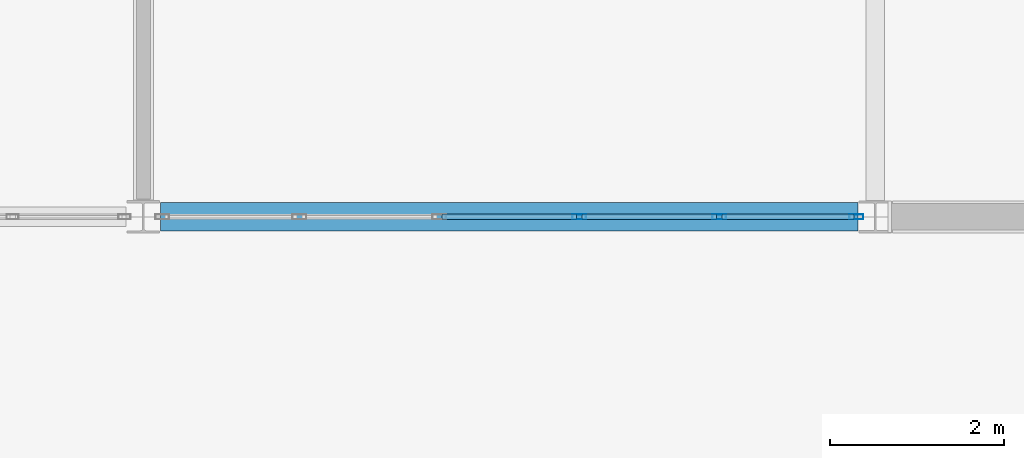
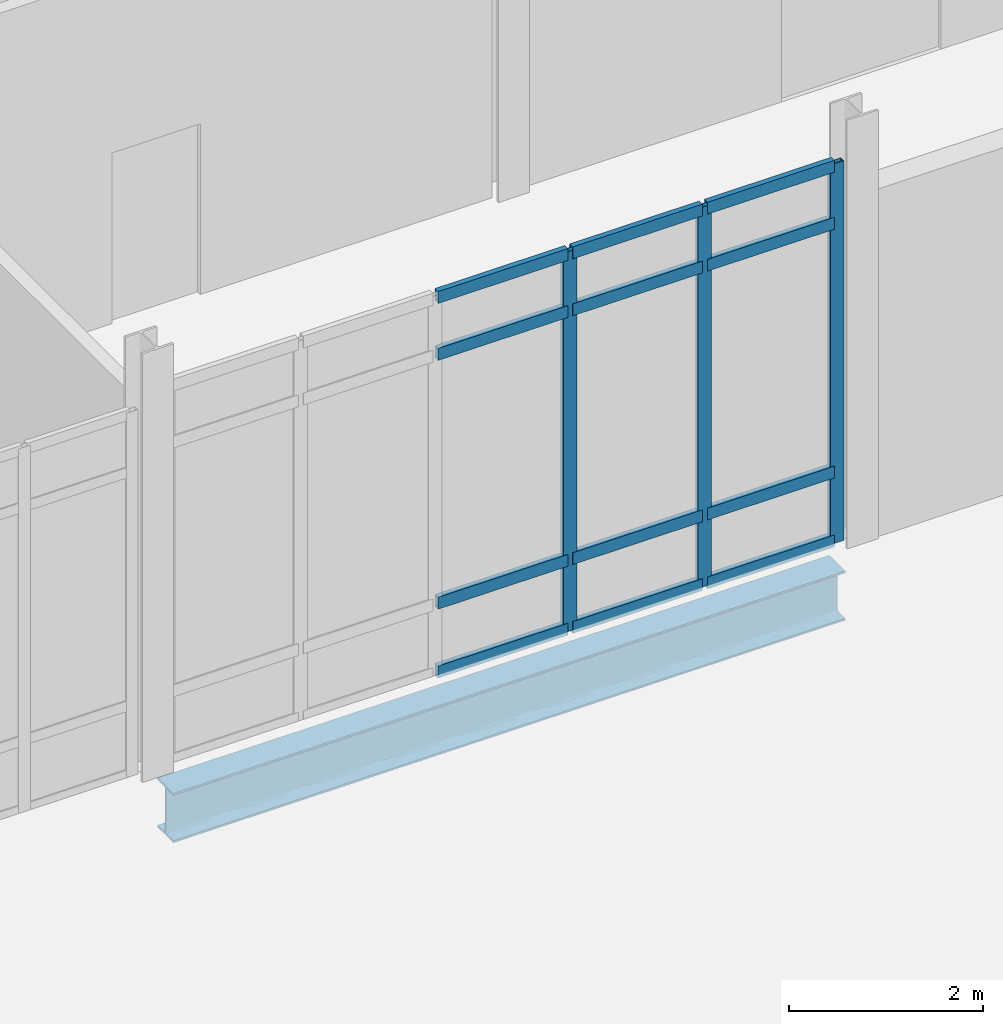
# One storey, part 85 of 229: 15 members, 1 beam, 1 element without a shape of its own.
"""IFC4 building model written with IfcOpenShell, lengths in metres."""

from ifc_helpers import new_model, si_unit, direction, frame, origin, origin_2d, place, context, subcontext, project, spatial, hollow_rectangle, i_section, extrude, material, layer, layer_set, material_profile, profile_set, type_object, element, aggregate, save


model = new_model("IFC4")

# Units and contexts
model_context = context("Model", 3, precision=1e-05, world=origin(), true_north=direction((0.0, 1.0)))
body_context = subcontext(model_context, "Body", "Model", "MODEL_VIEW")
ifc_project = project(units=[si_unit("LENGTHUNIT", "METRE"), si_unit("AREAUNIT", "SQUARE_METRE"), si_unit("VOLUMEUNIT", "CUBIC_METRE"), si_unit("PLANEANGLEUNIT", "RADIAN"), si_unit("MASSUNIT", "GRAM", prefix="KILO")], contexts=[model_context])

# Site, building, storey
site_placement = place(None, origin())
site = spatial("IfcSite", under=ifc_project, at=site_placement, CompositionType="ELEMENT")
building_placement = place(site_placement, origin())
building = spatial("IfcBuilding", under=site, at=building_placement, Name="Calvrana Isthmian Art Gallery", CompositionType="ELEMENT")
storey_placement = place(building_placement, origin())
storey = spatial("IfcBuildingStorey", under=building, at=storey_placement, Name="L00", CompositionType="ELEMENT", Elevation=0.0)

# Beam
ifc_material_1 = material(Name="Steel ASTM A992 Gr 50", Category="steel")
ifc_material_profile_1 = material_profile(ifc_material_1, i_section(OverallWidth=0.327880859375, OverallDepth=0.6220703125, WebThickness=0.015380859375, FlangeThickness=0.0244140625, FilletRadius=0.02197265625, at=origin_2d()), Name="W24X131")
ifc_profile_set_1 = profile_set([ifc_material_profile_1], Name="Steel ASTM A992 Gr 50")
beam_type = type_object("IfcBeamType", Name="BM-G-W24X131", PredefinedType="BEAM", material=ifc_profile_set_1)
beam_placement = place(storey_placement, frame((21.798095703125, 98.39990234375, -0.595947265625), z_axis=(1.0, 0.0, 0.0), x_axis=(0.0, 1.0, 0.0)))
element("IfcBeam", 1, at=beam_placement, inside=storey, type_object=beam_type, Name="Girder X L00 04-05/N", PredefinedType="BEAM", context=body_context, shape_type="SweptSolid", body=[
    extrude(i_section(OverallWidth=0.327880859375, OverallDepth=0.6220703125, WebThickness=0.015380859375, FlangeThickness=0.0244140625, FilletRadius=0.02197265625, at=origin_2d()), origin(), (0.0, 0.0, 1.0), 8.0048828125),
])

# Curtain wall, members
ifc_material_2 = material(Name="Anodized bronze aluminium 6063-T6", Category="aluminium")
ifc_layer = layer(ifc_material_2, 0.179931640625, Name="Anodized bronze aluminium 6063-T6")
ifc_layer_set = layer_set([ifc_layer], Name="Anodized bronze aluminium 6063-T6")
curtain_wall_type = type_object("IfcCurtainWallType", Name="CW-UNIT-080X48", PredefinedType="USERDEFINED", material=ifc_layer_set)
curtain_wall_placement = place(storey_placement, origin())
curtain_wall = element("IfcCurtainWall", 2, at=curtain_wall_placement, inside=storey, type_object=curtain_wall_type, Name="Curtain wall CW-037", ObjectType="UNITISED CURTAIN WALL", PredefinedType="USERDEFINED")
ifc_material_profile_2 = material_profile(ifc_material_2, hollow_rectangle(XDim=0.06005859375, YDim=0.159912109375, WallThickness=0.00390625, at=origin_2d()), Name="CWM60X160")
ifc_profile_set_2 = profile_set([ifc_material_profile_2], Name="Anodized bronze aluminium 6063-T6")
member_type_1 = type_object("IfcMemberType", Name="CWM-CWM60X160", PredefinedType="MULLION", material=ifc_profile_set_2)
member_1_placement = place(storey_placement, frame((29.783447265625, 98.39990234375, 0.0), z_axis=(0.0, 0.0, 1.0), x_axis=(0.0, -1.0, 0.0)))
member_1 = element("IfcMember", 3, at=member_1_placement, type_object=member_type_1, Name="CW-037 mullion 1", PredefinedType="MULLION", context=body_context, shape_type="SweptSolid", body=[
    extrude(hollow_rectangle(XDim=0.06005859375, YDim=0.159912109375, WallThickness=0.00390625, at=origin_2d()), origin(), (0.0, 0.0, 1.0), 4.783935546875),
])
member_2_placement = place(storey_placement, frame((28.2080078125, 98.39990234375, 0.0), z_axis=(0.0, 0.0, 1.0), x_axis=(0.0, -1.0, 0.0)))
member_2 = element("IfcMember", 4, at=member_2_placement, type_object=member_type_1, Name="CW-037 mullion 2", PredefinedType="MULLION", context=body_context, shape_type="SweptSolid", body=[
    extrude(hollow_rectangle(XDim=0.06005859375, YDim=0.159912109375, WallThickness=0.00390625, at=origin_2d()), origin(), (0.0, 0.0, 1.0), 4.783935546875),
])
member_3_placement = place(storey_placement, frame((26.602783203125, 98.39990234375, 0.0), z_axis=(0.0, 0.0, 1.0), x_axis=(0.0, -1.0, 0.0)))
member_3 = element("IfcMember", 5, at=member_3_placement, type_object=member_type_1, Name="CW-037 mullion 3", PredefinedType="MULLION", context=body_context, shape_type="SweptSolid", body=[
    extrude(hollow_rectangle(XDim=0.06005859375, YDim=0.159912109375, WallThickness=0.00390625, at=origin_2d()), origin(), (0.0, 0.0, 1.0), 4.783935546875),
])
ifc_material_profile_3 = material_profile(ifc_material_2, hollow_rectangle(XDim=0.06494140625, YDim=0.14990234375, WallThickness=0.00390625, at=origin_2d()), Name="CWT65X150")
ifc_profile_set_3 = profile_set([ifc_material_profile_3], Name="Anodized bronze aluminium 6063-T6")
member_type_2 = type_object("IfcMemberType", Name="CWT-CWT65X150", PredefinedType="USERDEFINED", material=ifc_profile_set_3)
member_4_placement = place(storey_placement, frame((29.75341796875, 98.39990234375, 0.032470703125), z_axis=(-1.0, 0.0, 0.0), x_axis=(0.0, -1.0, 0.0)))
member_4 = element("IfcMember", 6, at=member_4_placement, type_object=member_type_2, Name="CW-037 transom 1.1", ObjectType="TRANSOM", PredefinedType="USERDEFINED", context=body_context, shape_type="SweptSolid", body=[
    extrude(hollow_rectangle(XDim=0.06494140625, YDim=0.14990234375, WallThickness=0.00390625, at=origin_2d()), origin(), (0.0, 0.0, 1.0), 1.515380859375),
])
member_5_placement = place(storey_placement, frame((29.75341796875, 98.39990234375, 0.89990234375), z_axis=(-1.0, 0.0, 0.0), x_axis=(0.0, -1.0, 0.0)))
member_5 = element("IfcMember", 7, at=member_5_placement, type_object=member_type_2, Name="CW-037 transom 1.2", ObjectType="TRANSOM", PredefinedType="USERDEFINED", context=body_context, shape_type="SweptSolid", body=[
    extrude(hollow_rectangle(XDim=0.06494140625, YDim=0.14990234375, WallThickness=0.00390625, at=origin_2d()), origin(), (0.0, 0.0, 1.0), 1.515380859375),
])
member_6_placement = place(storey_placement, frame((29.75341796875, 98.39990234375, 4.033935546875), z_axis=(-1.0, 0.0, 0.0), x_axis=(0.0, -1.0, 0.0)))
member_6 = element("IfcMember", 8, at=member_6_placement, type_object=member_type_2, Name="CW-037 transom 1.3", ObjectType="TRANSOM", PredefinedType="USERDEFINED", context=body_context, shape_type="SweptSolid", body=[
    extrude(hollow_rectangle(XDim=0.06494140625, YDim=0.14990234375, WallThickness=0.00390625, at=origin_2d()), origin(), (0.0, 0.0, 1.0), 1.515380859375),
])
member_7_placement = place(storey_placement, frame((29.75341796875, 98.39990234375, 4.75146484375), z_axis=(-1.0, 0.0, 0.0), x_axis=(0.0, -1.0, 0.0)))
member_7 = element("IfcMember", 9, at=member_7_placement, type_object=member_type_2, Name="CW-037 transom 1.4", ObjectType="TRANSOM", PredefinedType="USERDEFINED", context=body_context, shape_type="SweptSolid", body=[
    extrude(hollow_rectangle(XDim=0.06494140625, YDim=0.14990234375, WallThickness=0.00390625, at=origin_2d()), origin(), (0.0, 0.0, 1.0), 1.515380859375),
])
member_8_placement = place(storey_placement, frame((28.177978515625, 98.39990234375, 0.032470703125), z_axis=(-1.0, 0.0, 0.0), x_axis=(0.0, -1.0, 0.0)))
member_8 = element("IfcMember", 10, at=member_8_placement, type_object=member_type_2, Name="CW-037 transom 2.1", ObjectType="TRANSOM", PredefinedType="USERDEFINED", context=body_context, shape_type="SweptSolid", body=[
    extrude(hollow_rectangle(XDim=0.06494140625, YDim=0.14990234375, WallThickness=0.00390625, at=origin_2d()), origin(), (0.0, 0.0, 1.0), 1.545166015625),
])
member_9_placement = place(storey_placement, frame((28.177978515625, 98.39990234375, 0.89990234375), z_axis=(-1.0, 0.0, 0.0), x_axis=(0.0, -1.0, 0.0)))
member_9 = element("IfcMember", 11, at=member_9_placement, type_object=member_type_2, Name="CW-037 transom 2.2", ObjectType="TRANSOM", PredefinedType="USERDEFINED", context=body_context, shape_type="SweptSolid", body=[
    extrude(hollow_rectangle(XDim=0.06494140625, YDim=0.14990234375, WallThickness=0.00390625, at=origin_2d()), origin(), (0.0, 0.0, 1.0), 1.545166015625),
])
member_10_placement = place(storey_placement, frame((28.177978515625, 98.39990234375, 4.033935546875), z_axis=(-1.0, 0.0, 0.0), x_axis=(0.0, -1.0, 0.0)))
member_10 = element("IfcMember", 12, at=member_10_placement, type_object=member_type_2, Name="CW-037 transom 2.3", ObjectType="TRANSOM", PredefinedType="USERDEFINED", context=body_context, shape_type="SweptSolid", body=[
    extrude(hollow_rectangle(XDim=0.06494140625, YDim=0.14990234375, WallThickness=0.00390625, at=origin_2d()), origin(), (0.0, 0.0, 1.0), 1.545166015625),
])
member_11_placement = place(storey_placement, frame((28.177978515625, 98.39990234375, 4.75146484375), z_axis=(-1.0, 0.0, 0.0), x_axis=(0.0, -1.0, 0.0)))
member_11 = element("IfcMember", 13, at=member_11_placement, type_object=member_type_2, Name="CW-037 transom 2.4", ObjectType="TRANSOM", PredefinedType="USERDEFINED", context=body_context, shape_type="SweptSolid", body=[
    extrude(hollow_rectangle(XDim=0.06494140625, YDim=0.14990234375, WallThickness=0.00390625, at=origin_2d()), origin(), (0.0, 0.0, 1.0), 1.545166015625),
])
member_12_placement = place(storey_placement, frame((26.57275390625, 98.39990234375, 0.032470703125), z_axis=(-1.0, 0.0, 0.0), x_axis=(0.0, -1.0, 0.0)))
member_12 = element("IfcMember", 14, at=member_12_placement, type_object=member_type_2, Name="CW-037 transom 3.1", ObjectType="TRANSOM", PredefinedType="USERDEFINED", context=body_context, shape_type="SweptSolid", body=[
    extrude(hollow_rectangle(XDim=0.06494140625, YDim=0.14990234375, WallThickness=0.00390625, at=origin_2d()), origin(), (0.0, 0.0, 1.0), 1.54541015625),
])
member_13_placement = place(storey_placement, frame((26.57275390625, 98.39990234375, 0.89990234375), z_axis=(-1.0, 0.0, 0.0), x_axis=(0.0, -1.0, 0.0)))
member_13 = element("IfcMember", 15, at=member_13_placement, type_object=member_type_2, Name="CW-037 transom 3.2", ObjectType="TRANSOM", PredefinedType="USERDEFINED", context=body_context, shape_type="SweptSolid", body=[
    extrude(hollow_rectangle(XDim=0.06494140625, YDim=0.14990234375, WallThickness=0.00390625, at=origin_2d()), origin(), (0.0, 0.0, 1.0), 1.54541015625),
])
member_14_placement = place(storey_placement, frame((26.57275390625, 98.39990234375, 4.033935546875), z_axis=(-1.0, 0.0, 0.0), x_axis=(0.0, -1.0, 0.0)))
member_14 = element("IfcMember", 16, at=member_14_placement, type_object=member_type_2, Name="CW-037 transom 3.3", ObjectType="TRANSOM", PredefinedType="USERDEFINED", context=body_context, shape_type="SweptSolid", body=[
    extrude(hollow_rectangle(XDim=0.06494140625, YDim=0.14990234375, WallThickness=0.00390625, at=origin_2d()), origin(), (0.0, 0.0, 1.0), 1.54541015625),
])
member_15_placement = place(storey_placement, frame((26.57275390625, 98.39990234375, 4.75146484375), z_axis=(-1.0, 0.0, 0.0), x_axis=(0.0, -1.0, 0.0)))
member_15 = element("IfcMember", 17, at=member_15_placement, type_object=member_type_2, Name="CW-037 transom 3.4", ObjectType="TRANSOM", PredefinedType="USERDEFINED", context=body_context, shape_type="SweptSolid", body=[
    extrude(hollow_rectangle(XDim=0.06494140625, YDim=0.14990234375, WallThickness=0.00390625, at=origin_2d()), origin(), (0.0, 0.0, 1.0), 1.54541015625),
])
aggregate(curtain_wall, [member_1, member_2, member_3, member_4, member_5, member_6, member_7, member_8, member_9, member_10, member_11, member_12, member_13, member_14, member_15])

save(model, "model.ifc")
